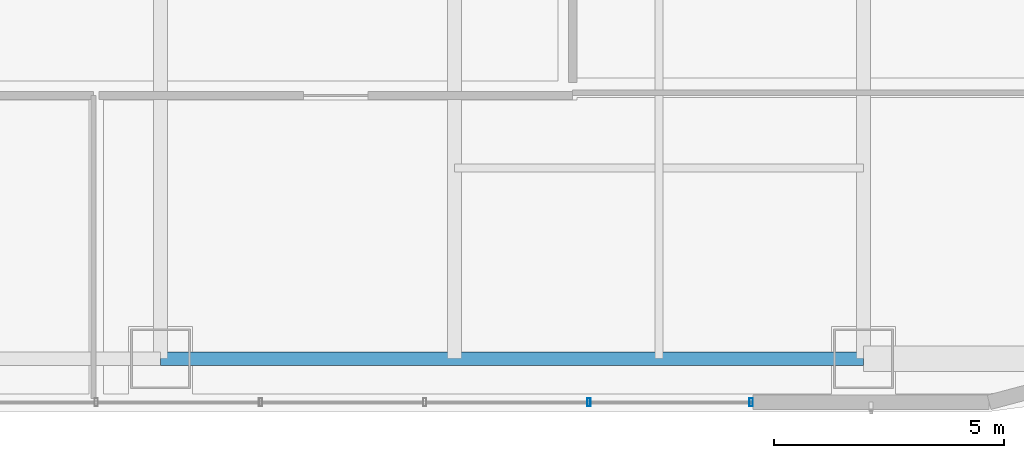
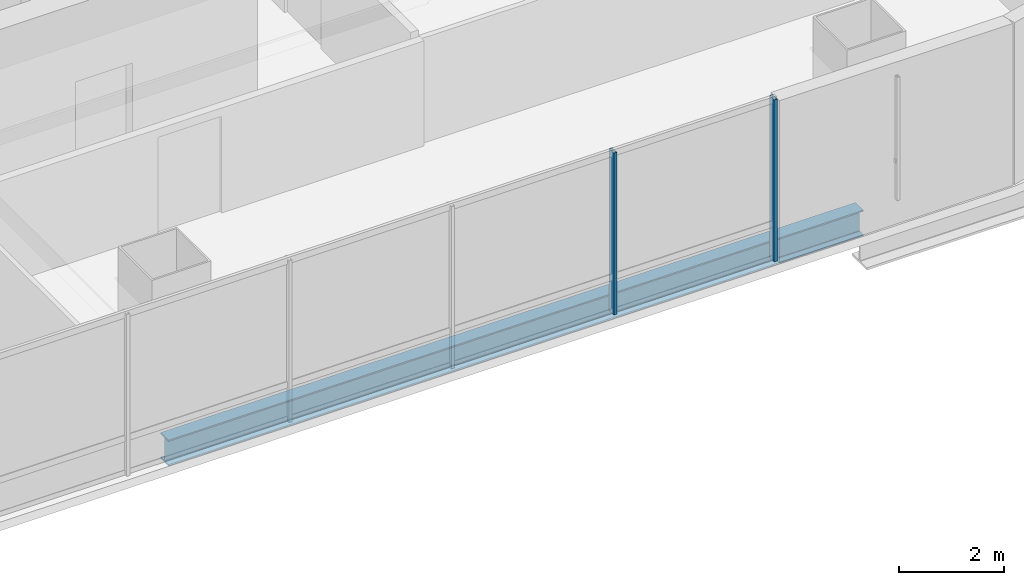
# One storey, part 14 of 51: 2 members, 1 beam, 1 element without a shape of its own.
"""IFC4 building model written with IfcOpenShell, lengths in metres."""

from ifc_helpers import new_model, si_unit, direction, frame, origin, origin_2d, place, context, subcontext, project, spatial, hollow_rectangle, i_section, extrude, material, material_profile, profile_set, type_object, element, aggregate, save


model = new_model("IFC4")

# Units and contexts
model_context = context("Model", 3, precision=1e-05, world=origin(), true_north=direction((0.0, 1.0)))
body_context = subcontext(model_context, "Body", "Model", "MODEL_VIEW")
ifc_project = project(units=[si_unit("LENGTHUNIT", "METRE"), si_unit("AREAUNIT", "SQUARE_METRE"), si_unit("VOLUMEUNIT", "CUBIC_METRE"), si_unit("PLANEANGLEUNIT", "RADIAN"), si_unit("MASSUNIT", "GRAM", prefix="KILO")], contexts=[model_context])

# Site, building, storey
site_placement = place(None, origin())
site = spatial("IfcSite", under=ifc_project, at=site_placement, CompositionType="ELEMENT")
building_placement = place(site_placement, origin())
building = spatial("IfcBuilding", under=site, at=building_placement, Name="Punatoya Terracotta Tower", CompositionType="ELEMENT")
storey_placement = place(building_placement, frame((0.0, 0.0, 279.75)))
storey = spatial("IfcBuildingStorey", under=building, at=storey_placement, Name="L66", CompositionType="ELEMENT", Elevation=279.75)

# Beam
ifc_material_1 = material(Name="Steel S355", Category="steel")
ifc_material_profile_1 = material_profile(ifc_material_1, i_section(OverallWidth=0.300048828125, OverallDepth=0.60009765625, WebThickness=0.015380859375, FlangeThickness=0.030029296875, FilletRadius=0.01806640625, at=origin_2d()))
ifc_profile_set_1 = profile_set([ifc_material_profile_1], Name="Steel S355")
beam_type = type_object("IfcBeamType", Name="BM-PRI-600", PredefinedType="BEAM", material=ifc_profile_set_1)
beam_placement = place(storey_placement, frame((3.800048828125, -17.5, -0.5), z_axis=(1.0, 0.0, 0.0), x_axis=(0.0, 1.0, 0.0)))
element("IfcBeam", 1, at=beam_placement, inside=storey, type_object=beam_type, Name="BM-L66-RG-S3", PredefinedType="BEAM", context=body_context, shape_type="SweptSolid", body=[
    extrude(i_section(OverallWidth=0.300048828125, OverallDepth=0.60009765625, WebThickness=0.015380859375, FlangeThickness=0.030029296875, FilletRadius=0.01806640625, at=origin_2d()), origin(), (0.0, 0.0, 1.0), 15.300048828125),
])

# Curtain wall, members
ifc_material_2 = material(Name="Aluminium 6063-T6 + Double Low-E Glass", Category="aluminium")
curtain_wall_type = type_object("IfcCurtainWallType", Name="CW-M3", PredefinedType="NOTDEFINED", material=ifc_material_2)
curtain_wall_placement = place(storey_placement, origin())
curtain_wall = element("IfcCurtainWall", 2, at=curtain_wall_placement, inside=storey, type_object=curtain_wall_type, Name="L66 Curtain Wall CW-L66-S01-1", PredefinedType="NOTDEFINED")
ifc_material_3 = material(Name="Aluminium 6063-T6", Category="aluminium")
ifc_material_profile_2 = material_profile(ifc_material_3, hollow_rectangle(XDim=0.070068359375, YDim=0.179931640625, WallThickness=0.00390625, at=origin_2d()))
ifc_profile_set_2 = profile_set([ifc_material_profile_2], Name="Aluminium 6063-T6")
member_type = type_object("IfcMemberType", Name="CW-MUL-M3", PredefinedType="MULLION", material=ifc_profile_set_2)
member_1_placement = place(storey_placement, frame((13.125, -18.449951171875, 0.0), z_axis=(0.0, 0.0, 1.0), x_axis=(1.0, 0.0, 0.0)))
member_1 = element("IfcMember", 3, at=member_1_placement, type_object=member_type, Name="CW-L66-S01-1 Mullion 07", PredefinedType="MULLION", context=body_context, shape_type="SweptSolid", body=[
    extrude(hollow_rectangle(XDim=0.070068359375, YDim=0.179931640625, WallThickness=0.00390625, at=origin_2d()), origin(), (0.0, 0.0, 1.0), 3.77001953125),
])
member_2_placement = place(storey_placement, frame((16.655029296875, -18.449951171875, 0.0), z_axis=(0.0, 0.0, 1.0), x_axis=(1.0, 0.0, 0.0)))
member_2 = element("IfcMember", 4, at=member_2_placement, type_object=member_type, Name="CW-L66-S01-1 Mullion 08", PredefinedType="MULLION", context=body_context, shape_type="SweptSolid", body=[
    extrude(hollow_rectangle(XDim=0.070068359375, YDim=0.179931640625, WallThickness=0.00390625, at=origin_2d()), origin(), (0.0, 0.0, 1.0), 3.77001953125),
])
aggregate(curtain_wall, [member_1, member_2])

save(model, "model.ifc")
